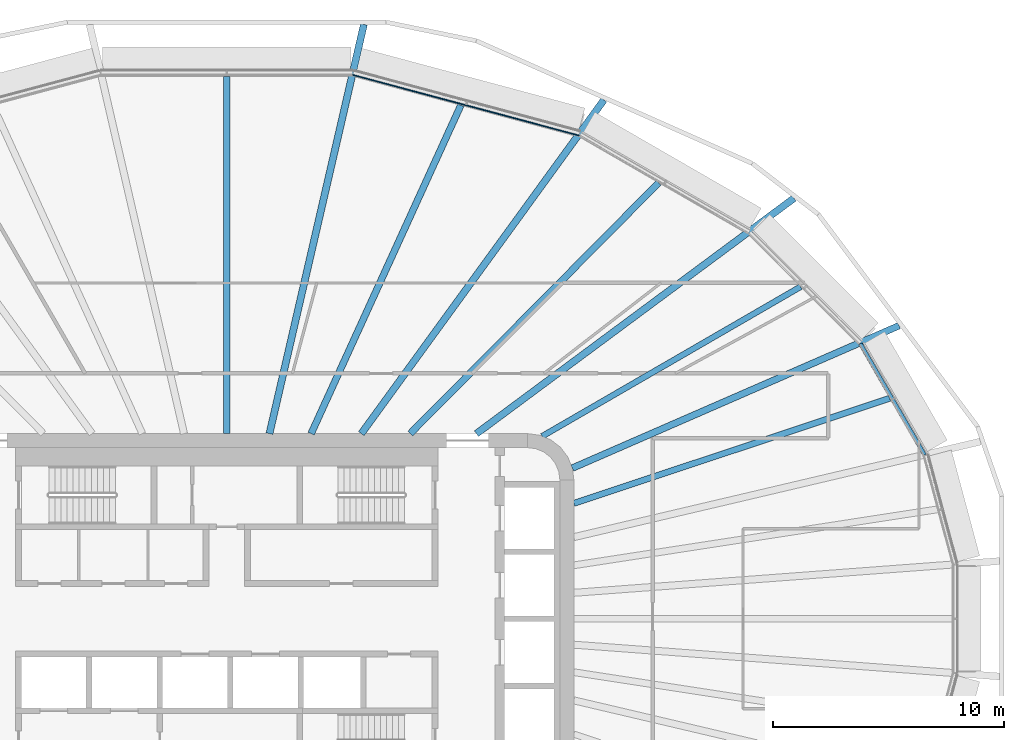
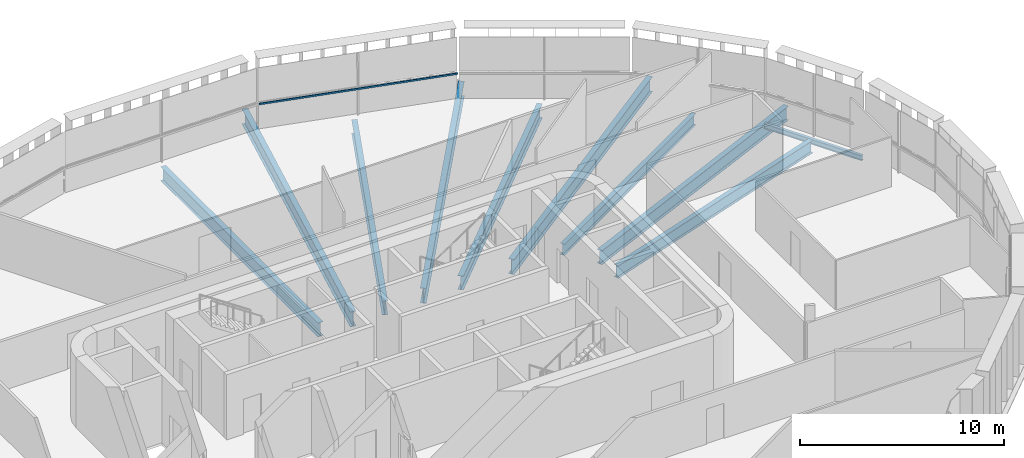
# One storey, part 9 of 25: 10 beams, 1 member, 1 element without a shape of its own.
"""IFC4 building model written with IfcOpenShell, lengths in metres."""

from ifc_helpers import new_model, si_unit, direction, frame, origin, origin_2d, place, context, subcontext, project, spatial, rectangle, i_section, extrude, material, layer, layer_set, material_profile, profile_set, type_object, element, aggregate, save


model = new_model("IFC4")

# Units and contexts
model_context = context("Model", 3, precision=1e-05, world=origin(), true_north=direction((0.0, 1.0)))
body_context = subcontext(model_context, "Body", "Model", "MODEL_VIEW")
ifc_project = project(units=[si_unit("LENGTHUNIT", "METRE"), si_unit("AREAUNIT", "SQUARE_METRE"), si_unit("VOLUMEUNIT", "CUBIC_METRE"), si_unit("PLANEANGLEUNIT", "RADIAN"), si_unit("MASSUNIT", "GRAM", prefix="KILO")], contexts=[model_context])

# Site, building, storey
site_placement = place(None, origin())
site = spatial("IfcSite", under=ifc_project, at=site_placement, CompositionType="ELEMENT")
building_placement = place(site_placement, origin())
building = spatial("IfcBuilding", under=site, at=building_placement, Name="Sahrelin Media Tower", CompositionType="ELEMENT")
storey_placement = place(building_placement, frame((0.0, 0.0, 135.60009765625)))
storey = spatial("IfcBuildingStorey", under=building, at=storey_placement, Name="L27", CompositionType="ELEMENT", Elevation=135.60009765625)

# Beams
ifc_material_1 = material(Name="Steel S355", Category="steel")
ifc_material_profile_1 = material_profile(ifc_material_1, i_section(OverallWidth=0.1650390625, OverallDepth=0.303466796875, WebThickness=0.006103515625, FlangeThickness=0.01025390625, FilletRadius=0.0087890625, at=origin_2d()), Name="UB 305x165x40")
ifc_profile_set_1 = profile_set([ifc_material_profile_1], Name="Steel S355")
beam_type_1 = type_object("IfcBeamType", Name="Edge beam EB2", PredefinedType="BEAM", material=ifc_profile_set_1)
beam_1_placement = place(storey_placement, frame((27.382080078125, 11.880615234375, -0.3017578125), z_axis=(0.500036242679, -0.866004478053, 0.0), x_axis=(0.866004478053, 0.500036242679, 0.0)))
element("IfcBeam", 1, at=beam_1_placement, inside=storey, type_object=beam_type_1, Name="Edge beam L27-23", PredefinedType="BEAM", context=body_context, shape_type="SweptSolid", body=[
    extrude(i_section(OverallWidth=0.1650390625, OverallDepth=0.303466796875, WebThickness=0.006103515625, FlangeThickness=0.01025390625, FilletRadius=0.0087890625, at=origin_2d()), origin(), (0.0, 0.0, 1.0), 5.544921875),
])
ifc_material_profile_2 = material_profile(ifc_material_1, i_section(OverallWidth=0.291748046875, OverallDepth=0.8349609375, WebThickness=0.013916015625, FlangeThickness=0.018798828125, FilletRadius=0.017822265625, at=origin_2d()), Name="UB 838x292x176")
ifc_profile_set_2 = profile_set([ifc_material_profile_2], Name="Steel S355")
beam_type_2 = type_object("IfcBeamType", Name="Radial primary beam PB10", PredefinedType="BEAM", material=ifc_profile_set_2)
beam_2_placement = place(storey_placement, frame((14.93310546875, 6.509521484375, -0.567626953125), z_axis=(0.916692689736, 0.399592933601, 0.0), x_axis=(-0.399592933601, 0.916692689736, 0.0)))
element("IfcBeam", 2, at=beam_2_placement, inside=storey, type_object=beam_type_2, Name="Radial beam L27-03", PredefinedType="BEAM", context=body_context, shape_type="SweptSolid", body=[
    extrude(i_section(OverallWidth=0.291748046875, OverallDepth=0.8349609375, WebThickness=0.013916015625, FlangeThickness=0.018798828125, FilletRadius=0.017822265625, at=origin_2d()), origin(), (0.0, 0.0, 1.0), 15.40380859375),
])
ifc_material_profile_3 = material_profile(ifc_material_1, i_section(OverallWidth=0.30322265625, OverallDepth=0.903076171875, WebThickness=0.01513671875, FlangeThickness=0.020263671875, FilletRadius=0.01904296875, at=origin_2d()), Name="UB 914x305x201")
ifc_profile_set_3 = profile_set([ifc_material_profile_3], Name="Steel S355")
beam_type_3 = type_object("IfcBeamType", Name="Radial primary beam PB11", PredefinedType="BEAM", material=ifc_profile_set_3)
beam_3_placement = place(storey_placement, frame((10.791015625, 8.0, -0.6015625), z_axis=(0.803316017069, 0.595553000766, 0.0), x_axis=(-0.595553000766, 0.803316017069, 0.0)))
element("IfcBeam", 3, at=beam_3_placement, inside=storey, type_object=beam_type_3, Name="Radial beam L27-04", PredefinedType="BEAM", context=body_context, shape_type="SweptSolid", body=[
    extrude(i_section(OverallWidth=0.30322265625, OverallDepth=0.903076171875, WebThickness=0.01513671875, FlangeThickness=0.020263671875, FilletRadius=0.01904296875, at=origin_2d()), origin(), (0.0, 0.0, 1.0), 17.076416015625),
])
beam_4_placement = place(storey_placement, frame((5.81591796875, 8.0, -0.6015625), z_axis=(0.588024299574, 0.808843262388, 0.0), x_axis=(-0.808843262388, 0.588024299574, 0.0)))
element("IfcBeam", 4, at=beam_4_placement, inside=storey, type_object=beam_type_3, Name="Radial beam L27-05", PredefinedType="BEAM", context=body_context, shape_type="SweptSolid", body=[
    extrude(i_section(OverallWidth=0.30322265625, OverallDepth=0.903076171875, WebThickness=0.01513671875, FlangeThickness=0.020263671875, FilletRadius=0.01904296875, at=origin_2d()), origin(), (0.0, 0.0, 1.0), 17.826904296875),
])
beam_5_placement = place(storey_placement, frame((1.846435546875, 8.0, -0.6015625), z_axis=(0.224889964266, 0.974384166524, 0.0), x_axis=(-0.974384166524, 0.224889964266, 0.0)))
element("IfcBeam", 5, at=beam_5_placement, inside=storey, type_object=beam_type_3, Name="Radial beam L27-06", PredefinedType="BEAM", context=body_context, shape_type="SweptSolid", body=[
    extrude(i_section(OverallWidth=0.30322265625, OverallDepth=0.903076171875, WebThickness=0.01513671875, FlangeThickness=0.020263671875, FilletRadius=0.01904296875, at=origin_2d()), origin(), (0.0, 0.0, 1.0), 18.14794921875),
])
ifc_material_profile_4 = material_profile(ifc_material_1, i_section(OverallWidth=0.291748046875, OverallDepth=0.8349609375, WebThickness=0.013916015625, FlangeThickness=0.018798828125, FilletRadius=0.017822265625, at=origin_2d()), Name="UB 838x292x176")
ifc_profile_set_4 = profile_set([ifc_material_profile_4], Name="Steel S355")
beam_type_4 = type_object("IfcBeamType", Name="Radial secondary beam SB10", PredefinedType="BEAM", material=ifc_profile_set_4)
beam_6_placement = place(storey_placement, frame((7.92578125, 8.0, -0.567626953125), z_axis=(0.703794822352, 0.710403299563, 0.0), x_axis=(-0.710403299563, 0.703794822352, 0.0)))
element("IfcBeam", 6, at=beam_6_placement, inside=storey, type_object=beam_type_4, Name="Secondary beam L27-04", PredefinedType="BEAM", context=body_context, shape_type="SweptSolid", body=[
    extrude(i_section(OverallWidth=0.291748046875, OverallDepth=0.8349609375, WebThickness=0.013916015625, FlangeThickness=0.018798828125, FilletRadius=0.017822265625, at=origin_2d()), origin(), (0.0, 0.0, 1.0), 15.257568359375),
])
beam_7_placement = place(storey_placement, frame((3.64697265625, 8.0, -0.567626953125), z_axis=(0.414807797457, 0.909909056538, 0.0), x_axis=(-0.909909056538, 0.414807797457, 0.0)))
element("IfcBeam", 7, at=beam_7_placement, inside=storey, type_object=beam_type_4, Name="Secondary beam L27-05", PredefinedType="BEAM", context=body_context, shape_type="SweptSolid", body=[
    extrude(i_section(OverallWidth=0.291748046875, OverallDepth=0.8349609375, WebThickness=0.013916015625, FlangeThickness=0.018798828125, FilletRadius=0.017822265625, at=origin_2d()), origin(), (0.0, 0.0, 1.0), 15.59228515625),
])
beam_8_placement = place(storey_placement, frame((0.0, 8.0, -0.567626953125), z_axis=(0.0, 1.0, 0.0), x_axis=(-1.0, 0.0, 0.0)))
element("IfcBeam", 8, at=beam_8_placement, inside=storey, type_object=beam_type_4, Name="Secondary beam L27-06", PredefinedType="BEAM", context=body_context, shape_type="SweptSolid", body=[
    extrude(i_section(OverallWidth=0.291748046875, OverallDepth=0.8349609375, WebThickness=0.013916015625, FlangeThickness=0.018798828125, FilletRadius=0.017822265625, at=origin_2d()), origin(), (0.0, 0.0, 1.0), 15.431884765625),
])
ifc_material_profile_5 = material_profile(ifc_material_1, i_section(OverallWidth=0.2529296875, OverallDepth=0.677978515625, WebThickness=0.01171875, FlangeThickness=0.01611328125, FilletRadius=0.01513671875, at=origin_2d()), Name="UB 686x254x125")
ifc_profile_set_5 = profile_set([ifc_material_profile_5], Name="Steel S355")
beam_type_5 = type_object("IfcBeamType", Name="Radial secondary beam SB8", PredefinedType="BEAM", material=ifc_profile_set_5)
beam_9_placement = place(storey_placement, frame((13.62939453125, 7.885498046875, -0.489013671875), z_axis=(0.865569164292, 0.500789398676, 0.0), x_axis=(-0.500789398676, 0.865569164292, 0.0)))
element("IfcBeam", 9, at=beam_9_placement, inside=storey, type_object=beam_type_5, Name="Secondary beam L27-03", PredefinedType="BEAM", context=body_context, shape_type="SweptSolid", body=[
    extrude(i_section(OverallWidth=0.2529296875, OverallDepth=0.677978515625, WebThickness=0.01171875, FlangeThickness=0.01611328125, FilletRadius=0.01513671875, at=origin_2d()), origin(), (0.0, 0.0, 1.0), 12.904541015625),
])
ifc_material_profile_6 = material_profile(ifc_material_1, i_section(OverallWidth=0.26513671875, OverallDepth=0.75390625, WebThickness=0.0126953125, FlangeThickness=0.017578125, FilletRadius=0.0166015625, at=origin_2d()), Name="UB 762x267x147")
ifc_profile_set_6 = profile_set([ifc_material_profile_6], Name="Steel S355")
beam_type_6 = type_object("IfcBeamType", Name="Radial secondary beam SB9", PredefinedType="BEAM", material=ifc_profile_set_6)
beam_10_placement = place(storey_placement, frame((15.0, 4.9873046875, -0.527099609375), z_axis=(0.948922383089, 0.315509605039, 0.0), x_axis=(-0.315509605039, 0.948922383089, 0.0)))
element("IfcBeam", 10, at=beam_10_placement, inside=storey, type_object=beam_type_6, Name="Secondary beam L27-02", PredefinedType="BEAM", context=body_context, shape_type="SweptSolid", body=[
    extrude(i_section(OverallWidth=0.26513671875, OverallDepth=0.75390625, WebThickness=0.0126953125, FlangeThickness=0.017578125, FilletRadius=0.0166015625, at=origin_2d()), origin(), (0.0, 0.0, 1.0), 14.3818359375),
])

# Curtain wall, member
ifc_material_2 = material(Name="Champagne anodised aluminium 6063-T6", Category="aluminium")
ifc_layer = layer(ifc_material_2, 0.14990234375)
ifc_layer_set = layer_set([ifc_layer], Name="Tower ribbon curtain wall")
curtain_wall_type = type_object("IfcCurtainWallType", Name="Tower ribbon curtain wall", PredefinedType="NOTDEFINED", material=ifc_layer_set)
curtain_wall_placement = place(storey_placement, frame((10.389404296875, 22.377197265625, 0.0), z_axis=(0.0, 0.0, 1.0), x_axis=(1.0, 0.0, 0.0)))
curtain_wall = element("IfcCurtainWall", 11, at=curtain_wall_placement, inside=storey, type_object=curtain_wall_type, Name="L27:CW:L27-05", PredefinedType="NOTDEFINED")
ifc_material_profile_7 = material_profile(ifc_material_2, rectangle(XDim=0.050048828125, YDim=0.10009765625, at=origin_2d()), Name="Transom 50x100")
ifc_profile_set_7 = profile_set([ifc_material_profile_7], Name="Champagne anodised aluminium 6063-T6")
member_type = type_object("IfcMemberType", Name="Transom 50x100 CW1", PredefinedType="USERDEFINED", material=ifc_profile_set_7)
member_placement = place(storey_placement, frame((15.2109375, 20.883544921875, 1.599853515625), z_axis=(-0.965928174808, 0.258810280151, 0.0), x_axis=(-0.258810280151, -0.965928174808, 0.0)))
member = element("IfcMember", 12, at=member_placement, type_object=member_type, Name="L27:CWT:L27-05", ObjectType="TRANSOM", PredefinedType="USERDEFINED", context=body_context, shape_type="SweptSolid", body=[
    extrude(rectangle(XDim=0.050048828125, YDim=0.10009765625, at=origin_2d()), origin(), (0.0, 0.0, 1.0), 10.087890625),
])
aggregate(curtain_wall, [member])

save(model, "model.ifc")
